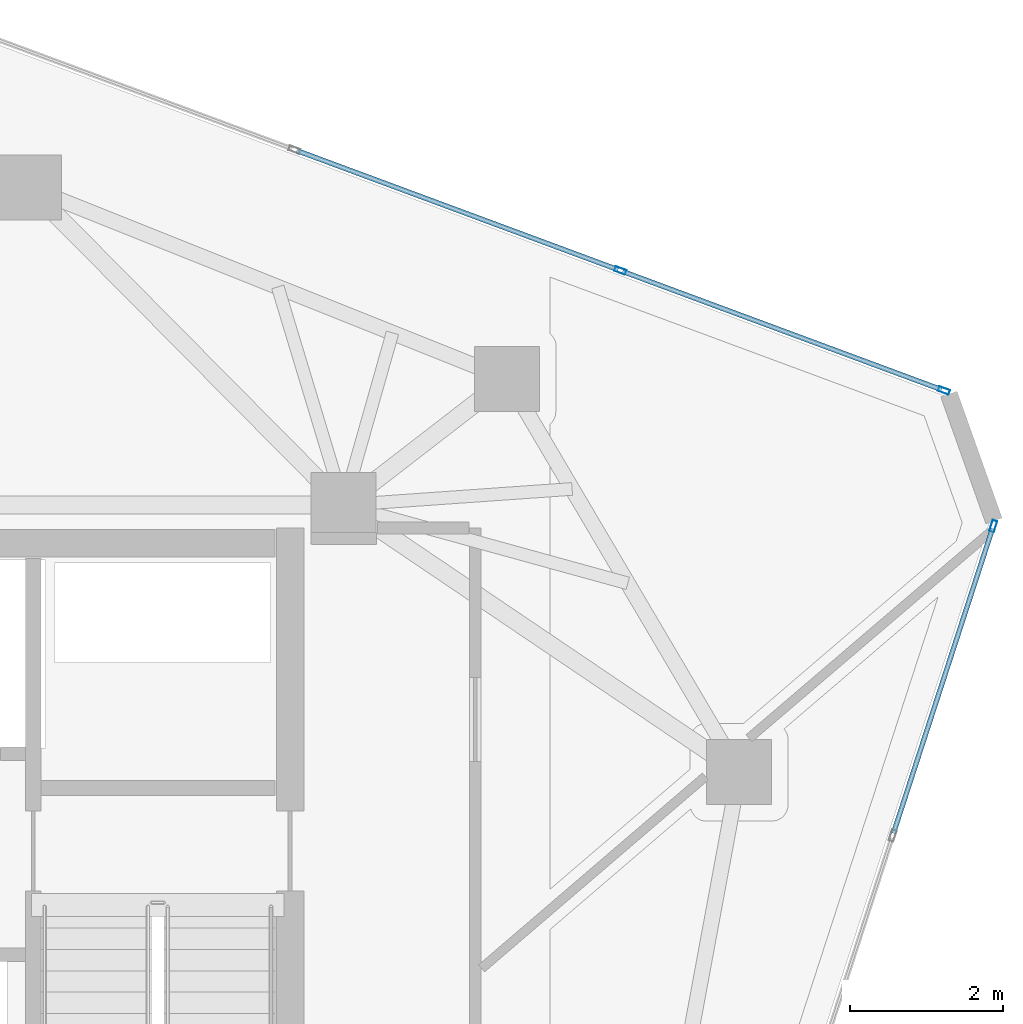
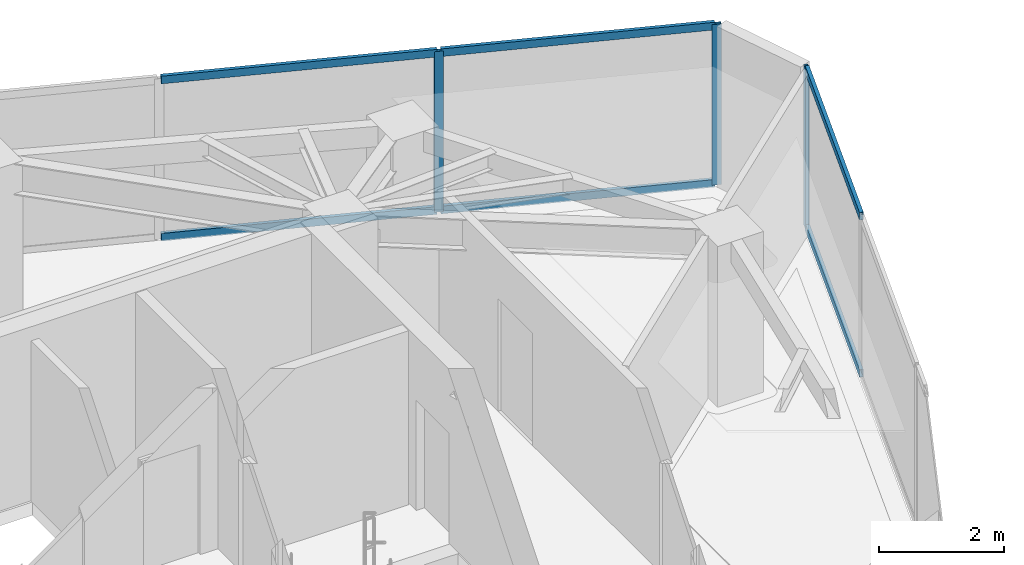
# One storey, part 14 of 20: 9 members, 2 elements without a shape of their own.
"""IFC4 building model written with IfcOpenShell, lengths in metres."""

from ifc_helpers import new_model, si_unit, direction, frame, origin, origin_2d, place, context, subcontext, project, spatial, hollow_rectangle, extrude, source, transform, mapped, material, layer, layer_set, material_profile, profile_set, type_object, type_shapes, element, aggregate, save


model = new_model("IFC4")

# Units and contexts
model_context = context("Model", 3, precision=1e-05, world=origin(), true_north=direction((0.0, 1.0)))
body_context = subcontext(model_context, "Body", "Model", "MODEL_VIEW")
ifc_project = project(units=[si_unit("LENGTHUNIT", "METRE"), si_unit("AREAUNIT", "SQUARE_METRE"), si_unit("VOLUMEUNIT", "CUBIC_METRE"), si_unit("PLANEANGLEUNIT", "RADIAN"), si_unit("MASSUNIT", "GRAM", prefix="KILO")], contexts=[model_context])

# Site, building, storey
site_placement = place(None, origin())
site = spatial("IfcSite", under=ifc_project, at=site_placement, CompositionType="ELEMENT")
building_placement = place(site_placement, origin())
building = spatial("IfcBuilding", under=site, at=building_placement, Name="Talar Marvaseh", CompositionType="ELEMENT")
storey_placement = place(building_placement, frame((0.0, 0.0, 261.199951171875)))
storey = spatial("IfcBuildingStorey", under=building, at=storey_placement, Name="L69", CompositionType="ELEMENT", Elevation=261.199951171875)

# Curtain wall, members
ifc_material = material(Name="Architectural Aluminium", Category="aluminium")
ifc_layer = layer(ifc_material, 0.179931640625)
ifc_layer_set = layer_set([ifc_layer], Name="Architectural Aluminium")
curtain_wall_type = type_object("IfcCurtainWallType", Name="Unitised High-Wind Sky Curtain Wall Z4", PredefinedType="NOTDEFINED", material=ifc_layer_set)
curtain_wall_1_placement = place(storey_placement, origin())
curtain_wall_1 = element("IfcCurtainWall", 1, at=curtain_wall_1_placement, inside=storey, type_object=curtain_wall_type, Name="L69 Unitised High-Wind Sky Curtain Wall Z4", PredefinedType="NOTDEFINED")
ifc_material_profile_1 = material_profile(ifc_material, hollow_rectangle(XDim=0.06494140625, YDim=0.14990234375, WallThickness=0.00390625, at=origin_2d()), Name="RHS150x65x4")
ifc_profile_set_1 = profile_set([ifc_material_profile_1], Name="Architectural Aluminium")
member_type_1 = type_object("IfcMemberType", Name="Unitised Curtain Wall Slim Transom RHS150x65x4", PredefinedType="USERDEFINED", material=ifc_profile_set_1)
shared_shape_1 = source(origin(), body_context, "Body", "SweptSolid", [
    extrude(hollow_rectangle(XDim=0.06494140625, YDim=0.14990234375, WallThickness=0.00390625, at=origin_2d()), origin(), (0.0, 0.0, 1.0), 4.447265625),
])
member_1_placement = place(storey_placement, frame((36.9482421875, 39.954345703125, 0.032470703125), z_axis=(0.937622219417, -0.347655826438, 0.0), x_axis=(0.347655826438, 0.937622219417, 0.0)))
member_1 = element("IfcMember", 2, at=member_1_placement, type_object=member_type_1, Name="CW-Z4 transom 3.1", ObjectType="TRANSOM", PredefinedType="USERDEFINED", context=body_context, shape_type="MappedRepresentation", body=[
    mapped(shared_shape_1, transform((0.0, 0.0, 0.0), x_axis=(1.0, 0.0, 0.0), y_axis=(0.0, 1.0, 0.0), z_axis=(0.0, 0.0, 1.0), scale=1.0)),
])
member_2_placement = place(storey_placement, frame((36.9482421875, 39.954345703125, 3.107666015625), z_axis=(0.937622219417, -0.347655826438, 0.0), x_axis=(0.347655826438, 0.937622219417, 0.0)))
member_2 = element("IfcMember", 3, at=member_2_placement, type_object=member_type_1, Name="CW-Z4 transom 3.2", ObjectType="TRANSOM", PredefinedType="USERDEFINED", context=body_context, shape_type="MappedRepresentation", body=[
    mapped(shared_shape_1, transform((0.0, 0.0, 0.0), x_axis=(1.0, 0.0, 0.0), y_axis=(0.0, 1.0, 0.0), z_axis=(0.0, 0.0, 1.0), scale=1.0)),
])
shared_shape_2 = source(origin(), body_context, "Body", "SweptSolid", [
    extrude(hollow_rectangle(XDim=0.06494140625, YDim=0.14990234375, WallThickness=0.00390625, at=origin_2d()), origin(), (0.0, 0.0, 1.0), 4.47998046875),
])
member_3_placement = place(storey_placement, frame((32.686767578125, 41.53466796875, 0.032470703125), z_axis=(0.937610637855, -0.347687060129, 0.0), x_axis=(0.347687060129, 0.937610637855, 0.0)))
member_3 = element("IfcMember", 4, at=member_3_placement, type_object=member_type_1, Name="CW-Z4 transom 2.1", ObjectType="TRANSOM", PredefinedType="USERDEFINED", context=body_context, shape_type="MappedRepresentation", body=[
    mapped(shared_shape_2, transform((0.0, 0.0, 0.0), x_axis=(1.0, 0.0, 0.0), y_axis=(0.0, 1.0, 0.0), z_axis=(0.0, 0.0, 1.0), scale=1.0)),
])
member_4_placement = place(storey_placement, frame((32.686767578125, 41.53466796875, 3.107666015625), z_axis=(0.937610637855, -0.347687060129, 0.0), x_axis=(0.347687060129, 0.937610637855, 0.0)))
member_4 = element("IfcMember", 5, at=member_4_placement, type_object=member_type_1, Name="CW-Z4 transom 2.2", ObjectType="TRANSOM", PredefinedType="USERDEFINED", context=body_context, shape_type="MappedRepresentation", body=[
    mapped(shared_shape_2, transform((0.0, 0.0, 0.0), x_axis=(1.0, 0.0, 0.0), y_axis=(0.0, 1.0, 0.0), z_axis=(0.0, 0.0, 1.0), scale=1.0)),
])

curtain_wall_2_placement = place(storey_placement, origin())
curtain_wall_2 = element("IfcCurtainWall", 6, at=curtain_wall_2_placement, inside=storey, type_object=curtain_wall_type, Name="L69 Unitised High-Wind Sky Curtain Wall Z4", PredefinedType="NOTDEFINED")
shared_shape_3 = source(origin(), body_context, "Body", "SweptSolid", [
    extrude(hollow_rectangle(XDim=0.06494140625, YDim=0.14990234375, WallThickness=0.00390625, at=origin_2d()), origin(), (0.0, 0.0, 1.0), 4.18896484375),
])
type_shapes(member_type_1, [shared_shape_1, shared_shape_2, shared_shape_3])
member_5_placement = place(storey_placement, frame((41.7841796875, 36.592529296875, 0.032470703125), z_axis=(-0.30919018219, -0.951000226728, 0.0), x_axis=(0.951000226728, -0.30919018219, 0.0)))
member_5 = element("IfcMember", 7, at=member_5_placement, type_object=member_type_1, Name="CW-Z4 transom 1.1", ObjectType="TRANSOM", PredefinedType="USERDEFINED", context=body_context, shape_type="MappedRepresentation", body=[
    mapped(shared_shape_3, transform((0.0, 0.0, 0.0), x_axis=(1.0, 0.0, 0.0), y_axis=(0.0, 1.0, 0.0), z_axis=(0.0, 0.0, 1.0), scale=1.0)),
])
member_6_placement = place(storey_placement, frame((41.7841796875, 36.592529296875, 3.107666015625), z_axis=(-0.30919018219, -0.951000226728, 0.0), x_axis=(0.951000226728, -0.30919018219, 0.0)))
member_6 = element("IfcMember", 8, at=member_6_placement, type_object=member_type_1, Name="CW-Z4 transom 1.2", ObjectType="TRANSOM", PredefinedType="USERDEFINED", context=body_context, shape_type="MappedRepresentation", body=[
    mapped(shared_shape_3, transform((0.0, 0.0, 0.0), x_axis=(1.0, 0.0, 0.0), y_axis=(0.0, 1.0, 0.0), z_axis=(0.0, 0.0, 1.0), scale=1.0)),
])

# Member
ifc_material_profile_2 = material_profile(ifc_material, hollow_rectangle(XDim=0.06494140625, YDim=0.14990234375, WallThickness=0.00390625, at=origin_2d()), Name="RHS150x65x4")
ifc_profile_set_2 = profile_set([ifc_material_profile_2], Name="Architectural Aluminium")
member_type_2 = type_object("IfcMemberType", Name="Unitised Curtain Wall Slim Mullion RHS150x65x4", PredefinedType="MULLION", material=ifc_profile_set_2)
shared_shape_4 = source(origin(), body_context, "Body", "SweptSolid", [
    extrude(hollow_rectangle(XDim=0.06494140625, YDim=0.14990234375, WallThickness=0.00390625, at=origin_2d()), origin(), (0.0, 0.0, 1.0), 3.14013671875),
])
type_shapes(member_type_2, [shared_shape_4])
member_7_placement = place(storey_placement, frame((36.917724609375, 39.9658203125, 0.0), z_axis=(0.0, 0.0, 1.0), x_axis=(0.347687446125, 0.937610494719, 0.0)))
member_7 = element("IfcMember", 9, at=member_7_placement, type_object=member_type_2, Name="CW-Z4 mullion 3", PredefinedType="MULLION", context=body_context, shape_type="MappedRepresentation", body=[
    mapped(shared_shape_4, transform((0.0, 0.0, 0.0), x_axis=(1.0, 0.0, 0.0), y_axis=(0.0, 1.0, 0.0), z_axis=(0.0, 0.0, 1.0), scale=1.0)),
])

member_8_placement = place(storey_placement, frame((41.1484375, 38.396728515625, 0.0), z_axis=(0.0, 0.0, 1.0), x_axis=(0.347687446125, 0.937610494719, 0.0)))
member_8 = element("IfcMember", 10, at=member_8_placement, type_object=member_type_2, Name="CW-Z4 mullion 4", PredefinedType="MULLION", context=body_context, shape_type="MappedRepresentation", body=[
    mapped(shared_shape_4, transform((0.0, 0.0, 0.0), x_axis=(1.0, 0.0, 0.0), y_axis=(0.0, 1.0, 0.0), z_axis=(0.0, 0.0, 1.0), scale=1.0)),
])

aggregate(curtain_wall_1, [member_7, member_8, member_3, member_4, member_1, member_2])

member_9_placement = place(storey_placement, frame((41.794189453125, 36.623291015625, 0.0), z_axis=(0.0, 0.0, 1.0), x_axis=(0.95100933406, -0.309162168659, 0.0)))
member_9 = element("IfcMember", 11, at=member_9_placement, type_object=member_type_2, Name="CW-Z4 mullion 1", PredefinedType="MULLION", context=body_context, shape_type="MappedRepresentation", body=[
    mapped(shared_shape_4, transform((0.0, 0.0, 0.0), x_axis=(1.0, 0.0, 0.0), y_axis=(0.0, 1.0, 0.0), z_axis=(0.0, 0.0, 1.0), scale=1.0)),
])

aggregate(curtain_wall_2, [member_9, member_5, member_6])

save(model, "model.ifc")
